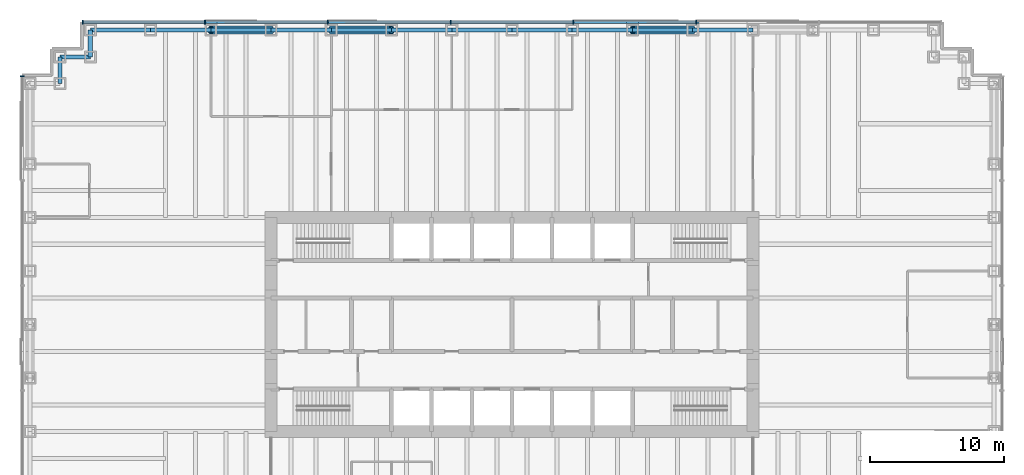
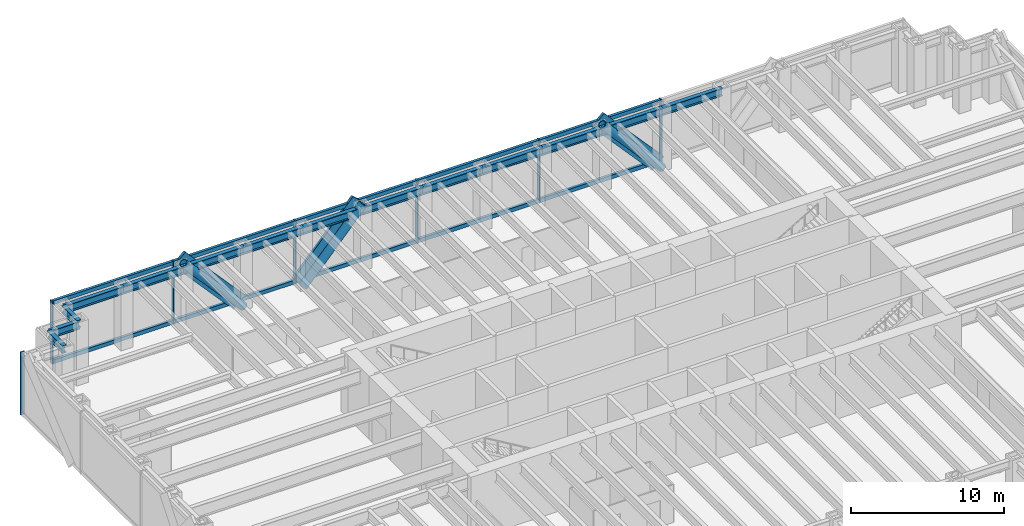
# One storey, part 9 of 17: 23 members, 14 beams, 2 elements without a shape of their own.
"""IFC4 building model written with IfcOpenShell, lengths in metres."""

from ifc_helpers import new_model, si_unit, direction, frame, origin, origin_2d, place, context, subcontext, project, spatial, rectangle, hollow_circle, i_section, extrude, material, material_profile, profile_set, type_object, element, aggregate, save


model = new_model("IFC4")

# Units and contexts
model_context = context("Model", 3, precision=1e-05, world=origin(), true_north=direction((0.0, 1.0)))
body_context = subcontext(model_context, "Body", "Model", "MODEL_VIEW")
ifc_project = project(units=[si_unit("LENGTHUNIT", "METRE"), si_unit("AREAUNIT", "SQUARE_METRE"), si_unit("VOLUMEUNIT", "CUBIC_METRE"), si_unit("PLANEANGLEUNIT", "RADIAN"), si_unit("MASSUNIT", "GRAM", prefix="KILO")], contexts=[model_context])

# Site, building, storey
site_placement = place(None, origin())
site = spatial("IfcSite", under=ifc_project, at=site_placement, CompositionType="ELEMENT")
building_placement = place(site_placement, origin())
building = spatial("IfcBuilding", under=site, at=building_placement, Name="Rheinbord Bourse Tower", CompositionType="ELEMENT")
storey_placement = place(building_placement, frame((0.0, 0.0, 18.0)))
storey = spatial("IfcBuildingStorey", under=building, at=storey_placement, Name="L03", CompositionType="ELEMENT", Elevation=18.0)

# Curtain wall, members
ifc_material_1 = material(Name="Dark glass and black aluminium", Category="aluminium")
curtain_wall_type = type_object("IfcCurtainWallType", Name="CW4 DARK GLASS CURTAIN WALL", PredefinedType="USERDEFINED", material=ifc_material_1)
curtain_wall_1_placement = place(storey_placement, origin())
curtain_wall_1 = element("IfcCurtainWall", 1, at=curtain_wall_1_placement, inside=storey, type_object=curtain_wall_type, Name="Curtain wall CW4 N L03", ObjectType="UNITISED CURTAIN WALL", PredefinedType="USERDEFINED")
ifc_material_2 = material(Name="Black anodised aluminium", Category="aluminium")
ifc_material_profile_1 = material_profile(ifc_material_2, rectangle(XDim=0.199951171875, YDim=1.2099609375, at=origin_2d()), Name="CW4 DIAGONAL MULLION 1210x200")
ifc_profile_set_1 = profile_set([ifc_material_profile_1], Name="Black anodised aluminium")
member_type_1 = type_object("IfcMemberType", Name="CW4 BLACK DIAGONAL MULLION", PredefinedType="USERDEFINED", material=ifc_profile_set_1)
member_1_placement = place(storey_placement, frame((22.5, 46.60009765625, 0.0), z_axis=(0.668964731622, 0.0, 0.743294146247), x_axis=(0.0, 1.0, 0.0)))
member_1 = element("IfcMember", 2, at=member_1_placement, type_object=member_type_1, Name="CW4 diagonal mullion a", ObjectType="DIAGONAL MULLION", PredefinedType="USERDEFINED", context=body_context, shape_type="SweptSolid", body=[
    extrude(rectangle(XDim=0.199951171875, YDim=1.2099609375, at=origin_2d()), origin(), (0.0, 0.0, 1.0), 6.726806640625),
])
member_2_placement = place(storey_placement, frame((49.5, 46.60009765625, 0.0), z_axis=(-0.668964731622, 0.0, 0.743294146247), x_axis=(0.0, -1.0, 0.0)))
member_2 = element("IfcMember", 3, at=member_2_placement, type_object=member_type_1, Name="CW4 diagonal mullion b", ObjectType="DIAGONAL MULLION", PredefinedType="USERDEFINED", context=body_context, shape_type="SweptSolid", body=[
    extrude(rectangle(XDim=0.199951171875, YDim=1.2099609375, at=origin_2d()), origin(), (0.0, 0.0, 1.0), 6.726806640625),
])
member_3_placement = place(storey_placement, frame((18.0, 46.60009765625, 0.0), z_axis=(-0.668964731622, 0.0, 0.743294146247), x_axis=(0.0, -1.0, 0.0)))
member_3 = element("IfcMember", 4, at=member_3_placement, type_object=member_type_1, Name="CW4 diagonal mullion d", ObjectType="DIAGONAL MULLION", PredefinedType="USERDEFINED", context=body_context, shape_type="SweptSolid", body=[
    extrude(rectangle(XDim=0.199951171875, YDim=1.2099609375, at=origin_2d()), origin(), (0.0, 0.0, 1.0), 6.726806640625),
])
ifc_material_3 = material(Name="Black anodised aluminium", Category="aluminium")
ifc_material_profile_2 = material_profile(ifc_material_3, rectangle(XDim=0.300048828125, YDim=0.090087890625, at=origin_2d()), Name="CW4 MULLION 90x300")
ifc_profile_set_2 = profile_set([ifc_material_profile_2], Name="Black anodised aluminium")
member_type_2 = type_object("IfcMemberType", Name="CW4 BLACK MULLION", PredefinedType="MULLION", material=ifc_profile_set_2)
member_4_placement = place(storey_placement, frame((49.757080078125, 46.60009765625, 0.0), z_axis=(0.0, 0.0, 1.0), x_axis=(0.0, -1.0, 0.0)))
member_4 = element("IfcMember", 5, at=member_4_placement, type_object=member_type_2, Name="CW4 mullion 3", PredefinedType="MULLION", context=body_context, shape_type="SweptSolid", body=[
    extrude(rectangle(XDim=0.300048828125, YDim=0.090087890625, at=origin_2d()), origin(), (0.0, 0.0, 1.0), 5.0),
])
member_5_placement = place(storey_placement, frame((40.585693359375, 46.60009765625, 0.0), z_axis=(0.0, 0.0, 1.0), x_axis=(0.0, -1.0, 0.0)))
member_5 = element("IfcMember", 6, at=member_5_placement, type_object=member_type_2, Name="CW4 mullion 4", PredefinedType="MULLION", context=body_context, shape_type="SweptSolid", body=[
    extrude(rectangle(XDim=0.300048828125, YDim=0.090087890625, at=origin_2d()), origin(), (0.0, 0.0, 1.0), 5.0),
])
member_6_placement = place(storey_placement, frame((31.414306640625, 46.60009765625, 0.0), z_axis=(0.0, 0.0, 1.0), x_axis=(0.0, -1.0, 0.0)))
member_6 = element("IfcMember", 7, at=member_6_placement, type_object=member_type_2, Name="CW4 mullion 5", PredefinedType="MULLION", context=body_context, shape_type="SweptSolid", body=[
    extrude(rectangle(XDim=0.300048828125, YDim=0.090087890625, at=origin_2d()), origin(), (0.0, 0.0, 1.0), 5.0),
])
member_7_placement = place(storey_placement, frame((22.242919921875, 46.60009765625, 0.0), z_axis=(0.0, 0.0, 1.0), x_axis=(0.0, -1.0, 0.0)))
member_7 = element("IfcMember", 8, at=member_7_placement, type_object=member_type_2, Name="CW4 mullion 6", PredefinedType="MULLION", context=body_context, shape_type="SweptSolid", body=[
    extrude(rectangle(XDim=0.300048828125, YDim=0.090087890625, at=origin_2d()), origin(), (0.0, 0.0, 1.0), 5.0),
])
member_8_placement = place(storey_placement, frame((13.071533203125, 46.60009765625, 0.0), z_axis=(0.0, 0.0, 1.0), x_axis=(0.0, -1.0, 0.0)))
member_8 = element("IfcMember", 9, at=member_8_placement, type_object=member_type_2, Name="CW4 mullion 7", PredefinedType="MULLION", context=body_context, shape_type="SweptSolid", body=[
    extrude(rectangle(XDim=0.300048828125, YDim=0.090087890625, at=origin_2d()), origin(), (0.0, 0.0, 1.0), 5.0),
])
member_9_placement = place(storey_placement, frame((3.945068359375, 46.60009765625, 0.0), z_axis=(0.0, 0.0, 1.0), x_axis=(0.0, -1.0, 0.0)))
member_9 = element("IfcMember", 10, at=member_9_placement, type_object=member_type_2, Name="CW4 mullion 8", PredefinedType="MULLION", context=body_context, shape_type="SweptSolid", body=[
    extrude(rectangle(XDim=0.300048828125, YDim=0.090087890625, at=origin_2d()), origin(), (0.0, 0.0, 1.0), 5.0),
])

# Curtain wall, member
curtain_wall_2_placement = place(storey_placement, origin())
curtain_wall_2 = element("IfcCurtainWall", 11, at=curtain_wall_2_placement, inside=storey, type_object=curtain_wall_type, Name="Curtain wall CW4 W L03", ObjectType="UNITISED CURTAIN WALL", PredefinedType="USERDEFINED")
member_10_placement = place(storey_placement, frame((-0.60009765625, 42.554931640625, 0.0), z_axis=(0.0, 0.0, 1.0), x_axis=(1.0, 0.0, 0.0)))
member_10 = element("IfcMember", 12, at=member_10_placement, type_object=member_type_2, Name="CW4 mullion 1", PredefinedType="MULLION", context=body_context, shape_type="SweptSolid", body=[
    extrude(rectangle(XDim=0.300048828125, YDim=0.090087890625, at=origin_2d()), origin(), (0.0, 0.0, 1.0), 5.0),
])
aggregate(curtain_wall_2, [member_10])

# Member
ifc_material_4 = material(Name="Black anodised aluminium", Category="aluminium")
ifc_material_profile_3 = material_profile(ifc_material_4, rectangle(XDim=0.199951171875, YDim=0.300048828125, at=origin_2d()), Name="CW4 TRANSOM 300x200")
ifc_profile_set_3 = profile_set([ifc_material_profile_3], Name="Black anodised aluminium")
member_type_3 = type_object("IfcMemberType", Name="CW4 BLACK TRANSOM", PredefinedType="USERDEFINED", material=ifc_profile_set_3)
member_11_placement = place(storey_placement, frame((49.712158203125, 46.60009765625, 0.14990234375), z_axis=(-1.0, 0.0, 0.0), x_axis=(0.0, -1.0, 0.0)))
member_11 = element("IfcMember", 13, at=member_11_placement, type_object=member_type_3, Name="CW4 transom 3.1", ObjectType="TRANSOM", PredefinedType="USERDEFINED", context=body_context, shape_type="SweptSolid", body=[
    extrude(rectangle(XDim=0.199951171875, YDim=0.300048828125, at=origin_2d()), origin(), (0.0, 0.0, 1.0), 9.08154296875),
])

member_12_placement = place(storey_placement, frame((49.712158203125, 46.60009765625, 4.85009765625), z_axis=(-1.0, 0.0, 0.0), x_axis=(0.0, -1.0, 0.0)))
member_12 = element("IfcMember", 14, at=member_12_placement, type_object=member_type_3, Name="CW4 transom 3.2", ObjectType="TRANSOM", PredefinedType="USERDEFINED", context=body_context, shape_type="SweptSolid", body=[
    extrude(rectangle(XDim=0.199951171875, YDim=0.300048828125, at=origin_2d()), origin(), (0.0, 0.0, 1.0), 9.08154296875),
])

member_13_placement = place(storey_placement, frame((40.540771484375, 46.60009765625, 0.14990234375), z_axis=(-1.0, 0.0, 0.0), x_axis=(0.0, -1.0, 0.0)))
member_13 = element("IfcMember", 15, at=member_13_placement, type_object=member_type_3, Name="CW4 transom 4.1", ObjectType="TRANSOM", PredefinedType="USERDEFINED", context=body_context, shape_type="SweptSolid", body=[
    extrude(rectangle(XDim=0.199951171875, YDim=0.300048828125, at=origin_2d()), origin(), (0.0, 0.0, 1.0), 9.08154296875),
])

member_14_placement = place(storey_placement, frame((40.540771484375, 46.60009765625, 4.85009765625), z_axis=(-1.0, 0.0, 0.0), x_axis=(0.0, -1.0, 0.0)))
member_14 = element("IfcMember", 16, at=member_14_placement, type_object=member_type_3, Name="CW4 transom 4.2", ObjectType="TRANSOM", PredefinedType="USERDEFINED", context=body_context, shape_type="SweptSolid", body=[
    extrude(rectangle(XDim=0.199951171875, YDim=0.300048828125, at=origin_2d()), origin(), (0.0, 0.0, 1.0), 9.08154296875),
])

member_15_placement = place(storey_placement, frame((31.369384765625, 46.60009765625, 0.14990234375), z_axis=(-1.0, 0.0, 0.0), x_axis=(0.0, -1.0, 0.0)))
member_15 = element("IfcMember", 17, at=member_15_placement, type_object=member_type_3, Name="CW4 transom 5.1", ObjectType="TRANSOM", PredefinedType="USERDEFINED", context=body_context, shape_type="SweptSolid", body=[
    extrude(rectangle(XDim=0.199951171875, YDim=0.300048828125, at=origin_2d()), origin(), (0.0, 0.0, 1.0), 9.08154296875),
])

member_16_placement = place(storey_placement, frame((31.369384765625, 46.60009765625, 4.85009765625), z_axis=(-1.0, 0.0, 0.0), x_axis=(0.0, -1.0, 0.0)))
member_16 = element("IfcMember", 18, at=member_16_placement, type_object=member_type_3, Name="CW4 transom 5.2", ObjectType="TRANSOM", PredefinedType="USERDEFINED", context=body_context, shape_type="SweptSolid", body=[
    extrude(rectangle(XDim=0.199951171875, YDim=0.300048828125, at=origin_2d()), origin(), (0.0, 0.0, 1.0), 9.08154296875),
])

member_17_placement = place(storey_placement, frame((22.19775390625, 46.60009765625, 0.14990234375), z_axis=(-1.0, 0.0, 0.0), x_axis=(0.0, -1.0, 0.0)))
member_17 = element("IfcMember", 19, at=member_17_placement, type_object=member_type_3, Name="CW4 transom 6.1", ObjectType="TRANSOM", PredefinedType="USERDEFINED", context=body_context, shape_type="SweptSolid", body=[
    extrude(rectangle(XDim=0.199951171875, YDim=0.300048828125, at=origin_2d()), origin(), (0.0, 0.0, 1.0), 9.081298828125),
])

member_18_placement = place(storey_placement, frame((22.19775390625, 46.60009765625, 4.85009765625), z_axis=(-1.0, 0.0, 0.0), x_axis=(0.0, -1.0, 0.0)))
member_18 = element("IfcMember", 20, at=member_18_placement, type_object=member_type_3, Name="CW4 transom 6.2", ObjectType="TRANSOM", PredefinedType="USERDEFINED", context=body_context, shape_type="SweptSolid", body=[
    extrude(rectangle(XDim=0.199951171875, YDim=0.300048828125, at=origin_2d()), origin(), (0.0, 0.0, 1.0), 9.081298828125),
])

member_19_placement = place(storey_placement, frame((13.0263671875, 46.60009765625, 0.14990234375), z_axis=(-1.0, 0.0, 0.0), x_axis=(0.0, -1.0, 0.0)))
member_19 = element("IfcMember", 21, at=member_19_placement, type_object=member_type_3, Name="CW4 transom 7.1", ObjectType="TRANSOM", PredefinedType="USERDEFINED", context=body_context, shape_type="SweptSolid", body=[
    extrude(rectangle(XDim=0.199951171875, YDim=0.300048828125, at=origin_2d()), origin(), (0.0, 0.0, 1.0), 9.036376953125),
])

member_20_placement = place(storey_placement, frame((13.0263671875, 46.60009765625, 4.85009765625), z_axis=(-1.0, 0.0, 0.0), x_axis=(0.0, -1.0, 0.0)))
member_20 = element("IfcMember", 22, at=member_20_placement, type_object=member_type_3, Name="CW4 transom 7.2", ObjectType="TRANSOM", PredefinedType="USERDEFINED", context=body_context, shape_type="SweptSolid", body=[
    extrude(rectangle(XDim=0.199951171875, YDim=0.300048828125, at=origin_2d()), origin(), (0.0, 0.0, 1.0), 9.036376953125),
])

aggregate(curtain_wall_1, [member_4, member_5, member_6, member_7, member_8, member_9, member_11, member_12, member_13, member_14, member_15, member_16, member_17, member_18, member_19, member_20, member_1, member_2, member_3])

# Members
ifc_material_5 = material(Name="Steel S460", Category="steel")
ifc_material_profile_4 = material_profile(ifc_material_5, hollow_circle(Radius=0.304931640625, WallThickness=0.050048828125, at=origin_2d()), Name="CHS 610x50")
ifc_profile_set_4 = profile_set([ifc_material_profile_4], Name="Steel S460")
member_type_4 = type_object("IfcMemberType", Name="MEGABRACE CHS 610x50", PredefinedType="BRACE", material=ifc_profile_set_4)
for number, where, z_axis, x_axis, name in (
    (23, (22.5, 46.0, 0.0), (0.668964731622, 0.0, 0.743294146247), (0.0, 1.0, 0.0), "Megabrace N face line a L03"),
    (24, (49.5, 46.0, 0.0), (-0.668964731622, 0.0, 0.743294146247), (0.0, -1.0, 0.0), "Megabrace N face line b L03"),
    (25, (18.0, 46.0, 0.0), (-0.668964731622, 0.0, 0.743294146247), (0.0, -1.0, 0.0), "Megabrace N face line d L03"),
):
    element("IfcMember", number, at=place(storey_placement, frame(where, z_axis=z_axis, x_axis=x_axis)), inside=storey, type_object=member_type_4, Name=name, PredefinedType="BRACE", context=body_context, shape_type="SweptSolid", body=[
        extrude(hollow_circle(Radius=0.304931640625, WallThickness=0.050048828125, at=origin_2d()), origin(), (0.0, 0.0, 1.0), 6.726806640625),
    ])

# Beams
ifc_material_6 = material(Name="Steel S460", Category="steel")
ifc_material_profile_5 = material_profile(ifc_material_6, i_section(OverallWidth=0.304931640625, OverallDepth=0.6201171875, WebThickness=0.02099609375, FlangeThickness=0.0400390625, at=origin_2d()), Name="HEM 600")
ifc_profile_set_5 = profile_set([ifc_material_profile_5], Name="Steel S460")
beam_type = type_object("IfcBeamType", Name="SPANDREL HEM 600", PredefinedType="SPANDREL", material=ifc_profile_set_5)
for number, where, z_axis, x_axis, name in (
    (26, (54.0, 46.0, 4.510009765625), (-1.0, 0.0, 0.0), (0.0, -1.0, 0.0), "Spandrel N-54-N-49.5 under L04"),
    (27, (49.5, 46.0, 4.510009765625), (-1.0, 0.0, 0.0), (0.0, -1.0, 0.0), "Spandrel N-49.5-N-45 under L04"),
    (28, (45.0, 46.0, 4.510009765625), (-1.0, 0.0, 0.0), (0.0, -1.0, 0.0), "Spandrel N-45-N-40.5 under L04"),
    (29, (40.5, 46.0, 4.510009765625), (-1.0, 0.0, 0.0), (0.0, -1.0, 0.0), "Spandrel N-40.5-N-36 under L04"),
    (30, (36.0, 46.0, 4.510009765625), (-1.0, 0.0, 0.0), (0.0, -1.0, 0.0), "Spandrel N-36-N-31.5 under L04"),
    (31, (31.5, 46.0, 4.510009765625), (-1.0, 0.0, 0.0), (0.0, -1.0, 0.0), "Spandrel N-31.5-N-27 under L04"),
    (32, (27.0, 46.0, 4.510009765625), (-1.0, 0.0, 0.0), (0.0, -1.0, 0.0), "Spandrel N-27-N-22.5 under L04"),
    (33, (22.5, 46.0, 4.510009765625), (-1.0, 0.0, 0.0), (0.0, -1.0, 0.0), "Spandrel N-22.5-N-18 under L04"),
    (34, (18.0, 46.0, 4.510009765625), (-1.0, 0.0, 0.0), (0.0, -1.0, 0.0), "Spandrel N-18-N-13.5 under L04"),
    (35, (13.5, 46.0, 4.510009765625), (-1.0, 0.0, 0.0), (0.0, -1.0, 0.0), "Spandrel N-13.5-N-9 under L04"),
    (36, (9.0, 46.0, 4.510009765625), (-1.0, 0.0, 0.0), (0.0, -1.0, 0.0), "Spandrel N-9-NW-E under L04"),
):
    element("IfcBeam", number, at=place(storey_placement, frame(where, z_axis=z_axis, x_axis=x_axis)), inside=storey, type_object=beam_type, Name=name, PredefinedType="SPANDREL", context=body_context, shape_type="SweptSolid", body=[
        extrude(i_section(OverallWidth=0.304931640625, OverallDepth=0.6201171875, WebThickness=0.02099609375, FlangeThickness=0.0400390625, at=origin_2d()), origin(), (0.0, 0.0, 1.0), 4.5),
    ])
beam_1_placement = place(storey_placement, frame((4.5, 46.0, 4.510009765625), z_axis=(0.0, -1.0, 0.0), x_axis=(1.0, 0.0, 0.0)))
element("IfcBeam", 37, at=beam_1_placement, inside=storey, type_object=beam_type, Name="Spandrel NW-E-NW-D under L04", PredefinedType="SPANDREL", context=body_context, shape_type="SweptSolid", body=[
    extrude(i_section(OverallWidth=0.304931640625, OverallDepth=0.6201171875, WebThickness=0.02099609375, FlangeThickness=0.0400390625, at=origin_2d()), origin(), (0.0, 0.0, 1.0), 2.0),
])
beam_2_placement = place(storey_placement, frame((4.5, 44.0, 4.510009765625), z_axis=(-1.0, 0.0, 0.0), x_axis=(0.0, -1.0, 0.0)))
element("IfcBeam", 38, at=beam_2_placement, inside=storey, type_object=beam_type, Name="Spandrel NW-D-NW-C under L04", PredefinedType="SPANDREL", context=body_context, shape_type="SweptSolid", body=[
    extrude(i_section(OverallWidth=0.304931640625, OverallDepth=0.6201171875, WebThickness=0.02099609375, FlangeThickness=0.0400390625, at=origin_2d()), origin(), (0.0, 0.0, 1.0), 2.25),
])
beam_3_placement = place(storey_placement, frame((2.25, 44.0, 4.510009765625), z_axis=(0.0, -1.0, 0.0), x_axis=(1.0, 0.0, 0.0)))
element("IfcBeam", 39, at=beam_3_placement, inside=storey, type_object=beam_type, Name="Spandrel NW-C-NW-B under L04", PredefinedType="SPANDREL", context=body_context, shape_type="SweptSolid", body=[
    extrude(i_section(OverallWidth=0.304931640625, OverallDepth=0.6201171875, WebThickness=0.02099609375, FlangeThickness=0.0400390625, at=origin_2d()), origin(), (0.0, 0.0, 1.0), 2.0),
])

save(model, "model.ifc")
